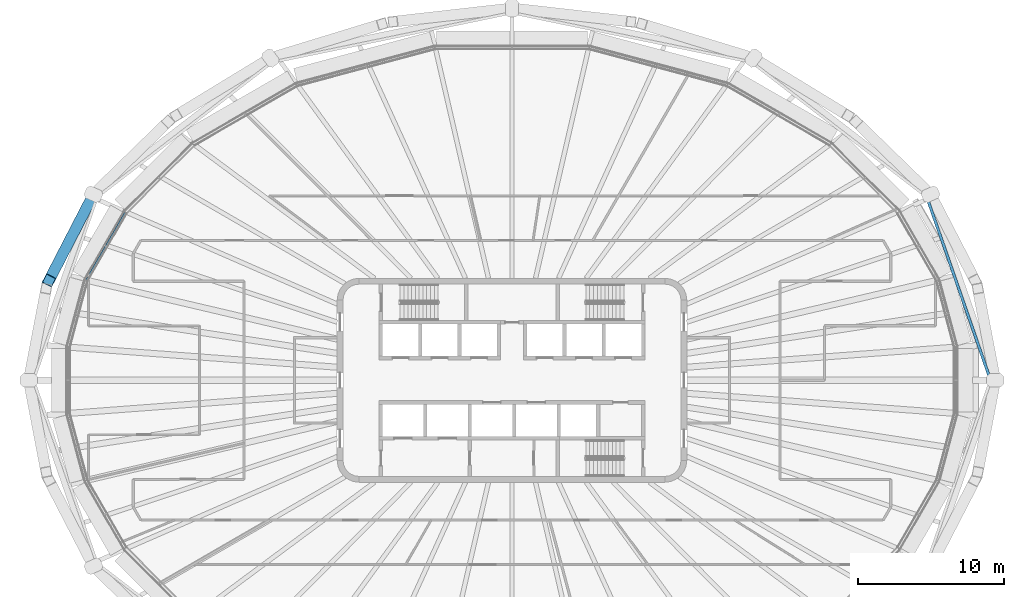
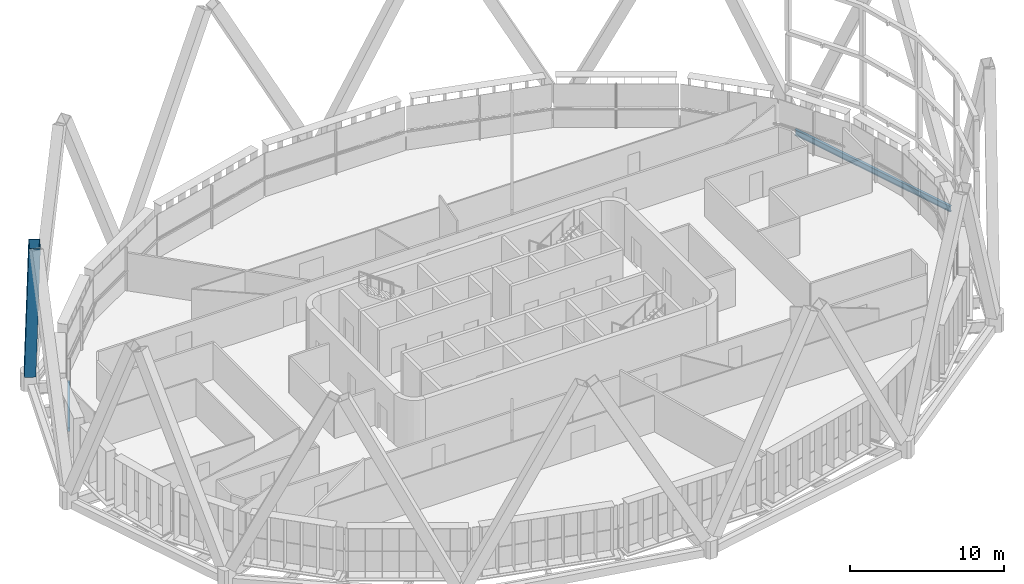
# One storey, part 6 of 23: 2 beams, 1 member.
"""IFC4 building model written with IfcOpenShell, lengths in metres."""

from ifc_helpers import new_model, si_unit, direction, frame, origin, origin_2d, place, context, subcontext, project, spatial, hollow_rectangle, i_section, extrude, material, material_profile, profile_set, type_object, element, save


model = new_model("IFC4")

# Units and contexts
model_context = context("Model", 3, precision=1e-05, world=origin(), true_north=direction((0.0, 1.0)))
body_context = subcontext(model_context, "Body", "Model", "MODEL_VIEW")
ifc_project = project(units=[si_unit("LENGTHUNIT", "METRE"), si_unit("AREAUNIT", "SQUARE_METRE"), si_unit("VOLUMEUNIT", "CUBIC_METRE"), si_unit("PLANEANGLEUNIT", "RADIAN"), si_unit("MASSUNIT", "GRAM", prefix="KILO")], contexts=[model_context])

# Site, building, storey
site_placement = place(None, origin())
site = spatial("IfcSite", under=ifc_project, at=site_placement, CompositionType="ELEMENT")
building_placement = place(site_placement, origin())
building = spatial("IfcBuilding", under=site, at=building_placement, Name="Sahrelin Media Tower", CompositionType="ELEMENT")
storey_placement = place(building_placement, frame((0.0, 0.0, 217.60009765625)))
storey = spatial("IfcBuildingStorey", under=building, at=storey_placement, Name="L46", CompositionType="ELEMENT", Elevation=217.60009765625)

# Member
ifc_material_1 = material(Name="Steel S460", Category="steel")
ifc_material_profile_1 = material_profile(ifc_material_1, hollow_rectangle(XDim=0.75, YDim=0.75, WallThickness=0.0400390625, at=origin_2d()), Name="Diagrid diagonal DG6")
ifc_profile_set_1 = profile_set([ifc_material_profile_1], Name="Steel S460")
member_type = type_object("IfcMemberType", Name="Diagrid diagonal DG6", PredefinedType="BRACE", material=ifc_profile_set_1)
member_placement = place(storey_placement, frame((-28.8671875, 12.49560546875, 0.699951171875), z_axis=(-0.182867726985, -0.354403022085, 0.917037563224), x_axis=(0.888671710677, -0.458543989867, 0.0)))
element("IfcMember", 1, at=member_placement, inside=storey, type_object=member_type, Name="Diagrid diagonal D10-10", PredefinedType="BRACE", context=body_context, shape_type="SweptSolid", body=[
    extrude(hollow_rectangle(XDim=0.75, YDim=0.75, WallThickness=0.0400390625, at=origin_2d()), origin(), (0.0, 0.0, 1.0), 15.920654296875),
])

# Beams
ifc_material_2 = material(Name="Steel S355", Category="steel")
ifc_material_profile_2 = material_profile(ifc_material_2, i_section(OverallWidth=0.1650390625, OverallDepth=0.303466796875, WebThickness=0.006103515625, FlangeThickness=0.01025390625, FilletRadius=0.0087890625, at=origin_2d()), Name="UB 305x165x40")
ifc_profile_set_2 = profile_set([ifc_material_profile_2], Name="Steel S355")
beam_type_1 = type_object("IfcBeamType", Name="Edge beam EB2", PredefinedType="BEAM", material=ifc_profile_set_2)
beam_1_placement = place(storey_placement, frame((-29.19873046875, 6.85595703125, -0.3017578125), z_axis=(0.500007141444, 0.86602128063, 0.0), x_axis=(-0.86602128063, 0.500007141444, 0.0)))
element("IfcBeam", 2, at=beam_1_placement, inside=storey, type_object=beam_type_1, Name="Edge beam L46-15", PredefinedType="BEAM", context=body_context, shape_type="SweptSolid", body=[
    extrude(i_section(OverallWidth=0.1650390625, OverallDepth=0.303466796875, WebThickness=0.006103515625, FlangeThickness=0.01025390625, FilletRadius=0.0087890625, at=origin_2d()), origin(), (0.0, 0.0, 1.0), 5.36962890625),
])
ifc_material_profile_3 = material_profile(ifc_material_2, i_section(OverallWidth=0.1904296875, OverallDepth=0.45703125, WebThickness=0.009033203125, FlangeThickness=0.014404296875, FilletRadius=0.01025390625, at=origin_2d()), Name="UB 457x191x74")
ifc_profile_set_3 = profile_set([ifc_material_profile_3], Name="Steel S355")
beam_type_2 = type_object("IfcBeamType", Name="Tie chord TC5", PredefinedType="BEAM", material=ifc_profile_set_3)
beam_2_placement = place(storey_placement, frame((28.473388671875, 12.582763671875, -0.378662109375), z_axis=(0.328788550839, -0.944403562486, 0.0), x_axis=(0.944403562486, 0.328788550839, 0.0)))
element("IfcBeam", 3, at=beam_2_placement, inside=storey, type_object=beam_type_2, Name="Tie chord L46-12", PredefinedType="BEAM", context=body_context, shape_type="SweptSolid", body=[
    extrude(i_section(OverallWidth=0.1904296875, OverallDepth=0.45703125, WebThickness=0.009033203125, FlangeThickness=0.014404296875, FilletRadius=0.01025390625, at=origin_2d()), origin(), (0.0, 0.0, 1.0), 13.323486328125),
])

save(model, "model.ifc")
